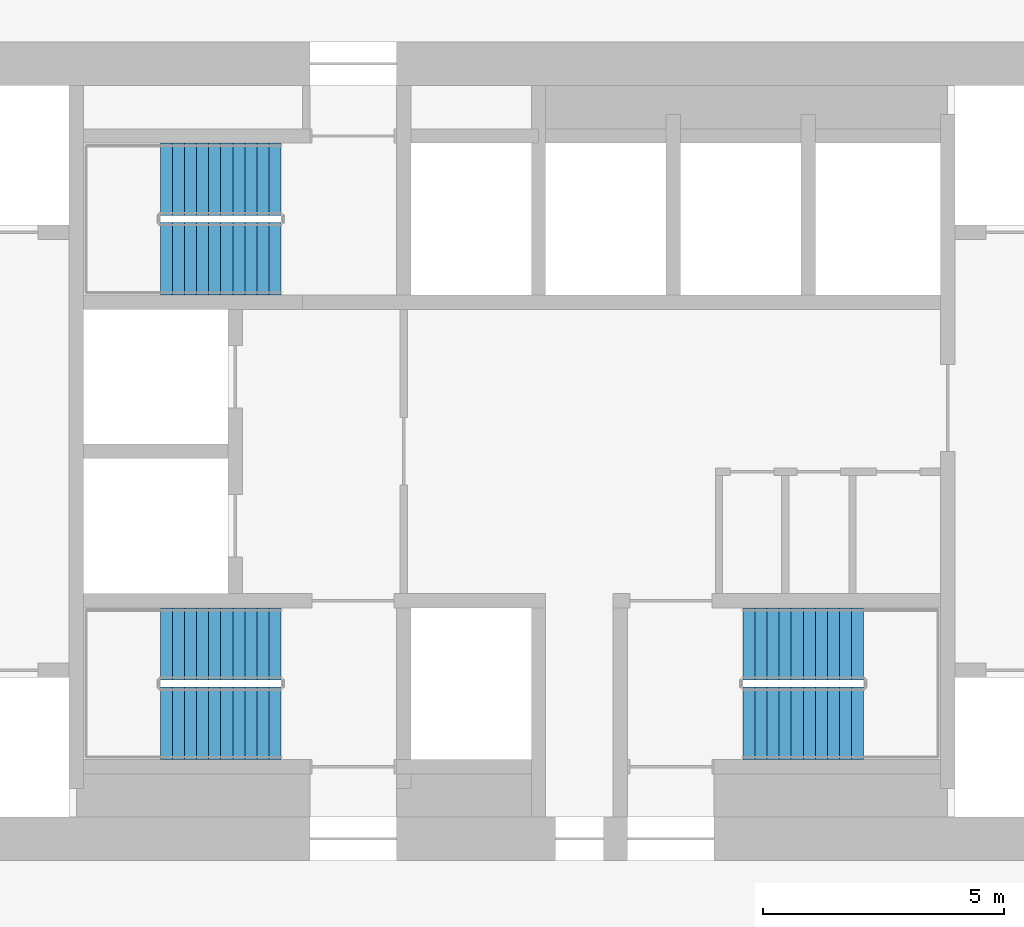
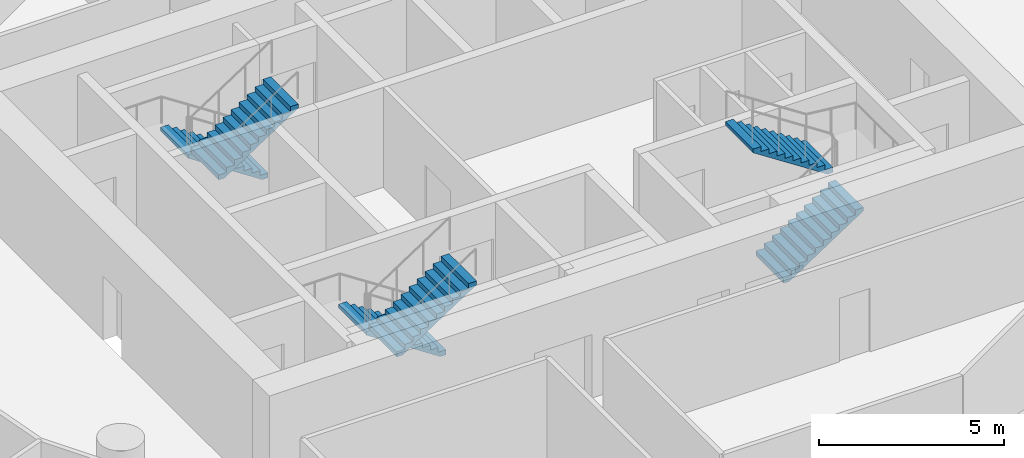
# One storey, part 8 of 9: 6 stair flights, 3 elements without a shape of their own.
"""IFC4 building model written with IfcOpenShell, lengths in metres."""

from ifc_helpers import new_model, si_unit, direction, frame, origin, place, context, subcontext, project, spatial, polyline, outline, extrude, material, type_object, element, aggregate, save


model = new_model("IFC4")

# Units and contexts
model_context = context("Model", 3, precision=1e-05, world=origin(), true_north=direction((0.0, 1.0)))
body_context = subcontext(model_context, "Body", "Model", "MODEL_VIEW")
ifc_project = project(units=[si_unit("LENGTHUNIT", "METRE"), si_unit("AREAUNIT", "SQUARE_METRE"), si_unit("VOLUMEUNIT", "CUBIC_METRE"), si_unit("PLANEANGLEUNIT", "RADIAN"), si_unit("MASSUNIT", "GRAM", prefix="KILO")], contexts=[model_context])

# Site, building, storey
site_placement = place(None, origin())
site = spatial("IfcSite", under=ifc_project, at=site_placement, CompositionType="ELEMENT")
building_placement = place(site_placement, origin())
building = spatial("IfcBuilding", under=site, at=building_placement, Name="Tracery Tower", CompositionType="ELEMENT")
storey_placement = place(building_placement, frame((0.0, 0.0, 172.800048828125)))
storey = spatial("IfcBuildingStorey", under=building, at=storey_placement, Name="L44", CompositionType="ELEMENT", Elevation=172.800048828125)

# Stair, stair flights
ifc_material_1 = material(Name="Concrete C32/40", Category="concrete")
stair_type = type_object("IfcStairType", Name="Core stair 22 risers", PredefinedType="HALF_TURN_STAIR", material=ifc_material_1)
stair_1_placement = place(storey_placement, origin())
stair_1 = element("IfcStair", 1, at=stair_1_placement, inside=storey, type_object=stair_type, Name="L44 stair ST1", PredefinedType="HALF_TURN_STAIR")
ifc_material_2 = material(Name="Concrete C32/40", Category="concrete")
stair_flight_type = type_object("IfcStairFlightType", Name="Core stair flight 11 risers", PredefinedType="STRAIGHT", material=ifc_material_2)
stair_flight_1_placement = place(storey_placement, frame((-4.800048828125, -4.0, 0.0), z_axis=(0.0, 0.0, 1.0), x_axis=(-1.0, 0.0, 0.0)))
stair_flight_1 = element("IfcStairFlight", 2, at=stair_flight_1_placement, type_object=stair_flight_type, Name="ST1 flight 1", NumberOfRisers=11, NumberOfTreads=10, PredefinedType="STRAIGHT", RiserHeight=0.163636364, TreadLength=0.25, context=body_context, shape_type="SweptSolid", body=[
    extrude(outline(polyline([(0.0, 0.0), (0.0, 0.002685546875), (0.0, 0.00537109375), (0.0, 0.008056640625), (0.0, 0.0107421875), (0.0, 0.013427734375), (0.0, 0.01611328125), (0.0, 0.018798828125), (0.0, 0.021484375), (0.0, 0.024169921875), (0.0, 0.02685546875), (0.0, 0.029541015625), (0.0, 0.0322265625), (0.0, 0.034912109375), (0.0, 0.03759765625), (0.0, 0.040283203125), (0.0, 0.04296875), (0.0, 0.045654296875), (0.0, 0.04833984375), (0.0, 0.051025390625), (0.0, 0.0537109375), (0.0, 0.056396484375), (0.0, 0.05908203125), (0.0, 0.061767578125), (0.0, 0.064453125), (0.0, 0.067138671875), (0.0, 0.06982421875), (0.0, 0.072509765625), (0.0, 0.0751953125), (0.0, 0.077880859375), (0.0, 0.08056640625), (0.0, 0.083251953125), (0.0, 0.0859375), (0.0, 0.088623046875), (0.0, 0.09130859375), (0.0, 0.093994140625), (0.0, 0.0966796875), (0.0, 0.099365234375), (0.0, 0.10205078125), (0.0, 0.104736328125), (0.0, 0.107421875), (0.0, 0.10986328125), (0.0, 0.112548828125), (0.0, 0.115234375), (0.0, 0.117919921875), (0.0, 0.12060546875), (0.0, 0.123291015625), (0.0, 0.1259765625), (0.0, 0.128662109375), (0.0, 0.13134765625), (0.0, 0.134033203125), (0.0, 0.13671875), (0.0, 0.139404296875), (0.0, 0.14208984375), (0.0, 0.144775390625), (0.0, 0.1474609375), (0.0, 0.150146484375), (0.0, 0.15283203125), (0.0, 0.155517578125), (0.0, 0.158203125), (0.0, 0.160888671875), (0.0, 0.16357421875), (0.25, 0.16357421875), (0.25, 0.327392578125), (0.5, 0.327392578125), (0.5, 0.490966796875), (0.75, 0.490966796875), (0.75, 0.654541015625), (1.0, 0.654541015625), (1.0, 0.818115234375), (1.25, 0.818115234375), (1.25, 0.98193359375), (1.5, 0.98193359375), (1.5, 1.1455078125), (1.75, 1.1455078125), (1.75, 1.30908203125), (2.0, 1.30908203125), (2.0, 1.47265625), (2.25, 1.47265625), (2.25, 1.636474609375), (2.5, 1.636474609375), (2.5, 1.634521484375), (2.5, 1.63232421875), (2.5, 1.63037109375), (2.5, 1.62841796875), (2.5, 1.62646484375), (2.5, 1.62451171875), (2.5, 1.62255859375), (2.5, 1.62060546875), (2.5, 1.61865234375), (2.5, 1.61669921875), (2.5, 1.61474609375), (2.5, 1.61279296875), (2.5, 1.61083984375), (2.5, 1.60888671875), (2.5, 1.60693359375), (2.5, 1.60498046875), (2.5, 1.60302734375), (2.5, 1.60107421875), (2.5, 1.59912109375), (2.5, 1.59716796875), (2.5, 1.59521484375), (2.5, 1.59326171875), (2.5, 1.59130859375), (2.5, 1.58935546875), (2.5, 1.58740234375), (2.5, 1.58544921875), (2.5, 1.58349609375), (2.5, 1.58154296875), (2.5, 1.57958984375), (2.5, 1.57763671875), (2.5, 1.57568359375), (2.5, 1.573486328125), (2.5, 1.571533203125), (2.5, 1.569580078125), (2.5, 1.567626953125), (2.5, 1.565673828125), (2.5, 1.563720703125), (2.5, 1.561767578125), (2.5, 1.559814453125), (2.5, 1.557861328125), (2.5, 1.555908203125), (2.5, 1.553955078125), (2.5, 1.552001953125), (2.5, 1.550048828125), (2.5, 1.548095703125), (2.5, 1.546142578125), (2.5, 1.544189453125), (2.5, 1.542236328125), (2.5, 1.540283203125), (2.5, 1.538330078125), (2.5, 1.536376953125), (2.5, 1.534423828125), (2.5, 1.532470703125), (2.5, 1.530517578125), (2.5, 1.528564453125), (2.5, 1.526611328125), (2.5, 1.524658203125), (2.5, 1.522705078125), (2.5, 1.520751953125), (2.5, 1.518798828125), (2.5, 1.516845703125), (0.182861328125, 0.0), (0.0, 0.0)])), frame((0.0, 0.75, 0.0), z_axis=(0.0, -1.0, 0.0), x_axis=(1.0, 0.0, 0.0)), (0.0, 0.0, 1.0), 1.5),
])
stair_flight_2_placement = place(storey_placement, frame((-7.300048828125, -5.64990234375, 1.800048828125), z_axis=(0.0, 0.0, 1.0), x_axis=(1.0, 0.0, 0.0)))
stair_flight_2 = element("IfcStairFlight", 3, at=stair_flight_2_placement, type_object=stair_flight_type, Name="ST1 flight 2", NumberOfRisers=11, NumberOfTreads=10, PredefinedType="STRAIGHT", RiserHeight=0.163636364, TreadLength=0.25, context=body_context, shape_type="SweptSolid", body=[
    extrude(outline(polyline([(0.0, 0.0), (0.0, 0.002685546875), (0.0, 0.00537109375), (0.0, 0.008056640625), (0.0, 0.0107421875), (0.0, 0.013427734375), (0.0, 0.01611328125), (0.0, 0.018798828125), (0.0, 0.021484375), (0.0, 0.024169921875), (0.0, 0.02685546875), (0.0, 0.029541015625), (0.0, 0.0322265625), (0.0, 0.034912109375), (0.0, 0.03759765625), (0.0, 0.040283203125), (0.0, 0.04296875), (0.0, 0.045654296875), (0.0, 0.04833984375), (0.0, 0.051025390625), (0.0, 0.0537109375), (0.0, 0.056396484375), (0.0, 0.05908203125), (0.0, 0.061767578125), (0.0, 0.064453125), (0.0, 0.067138671875), (0.0, 0.06982421875), (0.0, 0.072509765625), (0.0, 0.0751953125), (0.0, 0.077880859375), (0.0, 0.08056640625), (0.0, 0.083251953125), (0.0, 0.0859375), (0.0, 0.088623046875), (0.0, 0.09130859375), (0.0, 0.093994140625), (0.0, 0.0966796875), (0.0, 0.099365234375), (0.0, 0.10205078125), (0.0, 0.104736328125), (0.0, 0.107421875), (0.0, 0.10986328125), (0.0, 0.112548828125), (0.0, 0.115234375), (0.0, 0.117919921875), (0.0, 0.12060546875), (0.0, 0.123291015625), (0.0, 0.1259765625), (0.0, 0.128662109375), (0.0, 0.13134765625), (0.0, 0.134033203125), (0.0, 0.13671875), (0.0, 0.139404296875), (0.0, 0.14208984375), (0.0, 0.144775390625), (0.0, 0.1474609375), (0.0, 0.150146484375), (0.0, 0.15283203125), (0.0, 0.155517578125), (0.0, 0.158203125), (0.0, 0.160888671875), (0.0, 0.16357421875), (0.25, 0.16357421875), (0.25, 0.327392578125), (0.5, 0.327392578125), (0.5, 0.490966796875), (0.75, 0.490966796875), (0.75, 0.654541015625), (1.0, 0.654541015625), (1.0, 0.818115234375), (1.25, 0.818115234375), (1.25, 0.98193359375), (1.5, 0.98193359375), (1.5, 1.1455078125), (1.75, 1.1455078125), (1.75, 1.30908203125), (2.0, 1.30908203125), (2.0, 1.47265625), (2.25, 1.47265625), (2.25, 1.636474609375), (2.5, 1.636474609375), (2.5, 1.634521484375), (2.5, 1.63232421875), (2.5, 1.63037109375), (2.5, 1.62841796875), (2.5, 1.62646484375), (2.5, 1.62451171875), (2.5, 1.62255859375), (2.5, 1.62060546875), (2.5, 1.61865234375), (2.5, 1.61669921875), (2.5, 1.61474609375), (2.5, 1.61279296875), (2.5, 1.61083984375), (2.5, 1.60888671875), (2.5, 1.60693359375), (2.5, 1.60498046875), (2.5, 1.60302734375), (2.5, 1.60107421875), (2.5, 1.59912109375), (2.5, 1.59716796875), (2.5, 1.59521484375), (2.5, 1.59326171875), (2.5, 1.59130859375), (2.5, 1.58935546875), (2.5, 1.58740234375), (2.5, 1.58544921875), (2.5, 1.58349609375), (2.5, 1.58154296875), (2.5, 1.57958984375), (2.5, 1.57763671875), (2.5, 1.57568359375), (2.5, 1.573486328125), (2.5, 1.571533203125), (2.5, 1.569580078125), (2.5, 1.567626953125), (2.5, 1.565673828125), (2.5, 1.563720703125), (2.5, 1.561767578125), (2.5, 1.559814453125), (2.5, 1.557861328125), (2.5, 1.555908203125), (2.5, 1.553955078125), (2.5, 1.552001953125), (2.5, 1.550048828125), (2.5, 1.548095703125), (2.5, 1.546142578125), (2.5, 1.544189453125), (2.5, 1.542236328125), (2.5, 1.540283203125), (2.5, 1.538330078125), (2.5, 1.536376953125), (2.5, 1.534423828125), (2.5, 1.532470703125), (2.5, 1.530517578125), (2.5, 1.528564453125), (2.5, 1.526611328125), (2.5, 1.524658203125), (2.5, 1.522705078125), (2.5, 1.520751953125), (2.5, 1.518798828125), (2.5, 1.516845703125), (0.182861328125, 0.0), (0.0, 0.0)])), frame((0.0, 0.75, 0.0), z_axis=(0.0, -1.0, 0.0), x_axis=(1.0, 0.0, 0.0)), (0.0, 0.0, 1.0), 1.5),
])
aggregate(stair_1, [stair_flight_1, stair_flight_2])

stair_2_placement = place(storey_placement, origin())
stair_2 = element("IfcStair", 4, at=stair_2_placement, inside=storey, type_object=stair_type, Name="L44 stair ST3", PredefinedType="HALF_TURN_STAIR")
stair_flight_3_placement = place(storey_placement, frame((-4.800048828125, 5.64990234375, 0.0), z_axis=(0.0, 0.0, 1.0), x_axis=(-1.0, 0.0, 0.0)))
stair_flight_3 = element("IfcStairFlight", 5, at=stair_flight_3_placement, type_object=stair_flight_type, Name="ST3 flight 1", NumberOfRisers=11, NumberOfTreads=10, PredefinedType="STRAIGHT", RiserHeight=0.163636364, TreadLength=0.25, context=body_context, shape_type="SweptSolid", body=[
    extrude(outline(polyline([(0.0, 0.0), (0.0, 0.002685546875), (0.0, 0.00537109375), (0.0, 0.008056640625), (0.0, 0.0107421875), (0.0, 0.013427734375), (0.0, 0.01611328125), (0.0, 0.018798828125), (0.0, 0.021484375), (0.0, 0.024169921875), (0.0, 0.02685546875), (0.0, 0.029541015625), (0.0, 0.0322265625), (0.0, 0.034912109375), (0.0, 0.03759765625), (0.0, 0.040283203125), (0.0, 0.04296875), (0.0, 0.045654296875), (0.0, 0.04833984375), (0.0, 0.051025390625), (0.0, 0.0537109375), (0.0, 0.056396484375), (0.0, 0.05908203125), (0.0, 0.061767578125), (0.0, 0.064453125), (0.0, 0.067138671875), (0.0, 0.06982421875), (0.0, 0.072509765625), (0.0, 0.0751953125), (0.0, 0.077880859375), (0.0, 0.08056640625), (0.0, 0.083251953125), (0.0, 0.0859375), (0.0, 0.088623046875), (0.0, 0.09130859375), (0.0, 0.093994140625), (0.0, 0.0966796875), (0.0, 0.099365234375), (0.0, 0.10205078125), (0.0, 0.104736328125), (0.0, 0.107421875), (0.0, 0.10986328125), (0.0, 0.112548828125), (0.0, 0.115234375), (0.0, 0.117919921875), (0.0, 0.12060546875), (0.0, 0.123291015625), (0.0, 0.1259765625), (0.0, 0.128662109375), (0.0, 0.13134765625), (0.0, 0.134033203125), (0.0, 0.13671875), (0.0, 0.139404296875), (0.0, 0.14208984375), (0.0, 0.144775390625), (0.0, 0.1474609375), (0.0, 0.150146484375), (0.0, 0.15283203125), (0.0, 0.155517578125), (0.0, 0.158203125), (0.0, 0.160888671875), (0.0, 0.16357421875), (0.25, 0.16357421875), (0.25, 0.327392578125), (0.5, 0.327392578125), (0.5, 0.490966796875), (0.75, 0.490966796875), (0.75, 0.654541015625), (1.0, 0.654541015625), (1.0, 0.818115234375), (1.25, 0.818115234375), (1.25, 0.98193359375), (1.5, 0.98193359375), (1.5, 1.1455078125), (1.75, 1.1455078125), (1.75, 1.30908203125), (2.0, 1.30908203125), (2.0, 1.47265625), (2.25, 1.47265625), (2.25, 1.636474609375), (2.5, 1.636474609375), (2.5, 1.634521484375), (2.5, 1.63232421875), (2.5, 1.63037109375), (2.5, 1.62841796875), (2.5, 1.62646484375), (2.5, 1.62451171875), (2.5, 1.62255859375), (2.5, 1.62060546875), (2.5, 1.61865234375), (2.5, 1.61669921875), (2.5, 1.61474609375), (2.5, 1.61279296875), (2.5, 1.61083984375), (2.5, 1.60888671875), (2.5, 1.60693359375), (2.5, 1.60498046875), (2.5, 1.60302734375), (2.5, 1.60107421875), (2.5, 1.59912109375), (2.5, 1.59716796875), (2.5, 1.59521484375), (2.5, 1.59326171875), (2.5, 1.59130859375), (2.5, 1.58935546875), (2.5, 1.58740234375), (2.5, 1.58544921875), (2.5, 1.58349609375), (2.5, 1.58154296875), (2.5, 1.57958984375), (2.5, 1.57763671875), (2.5, 1.57568359375), (2.5, 1.573486328125), (2.5, 1.571533203125), (2.5, 1.569580078125), (2.5, 1.567626953125), (2.5, 1.565673828125), (2.5, 1.563720703125), (2.5, 1.561767578125), (2.5, 1.559814453125), (2.5, 1.557861328125), (2.5, 1.555908203125), (2.5, 1.553955078125), (2.5, 1.552001953125), (2.5, 1.550048828125), (2.5, 1.548095703125), (2.5, 1.546142578125), (2.5, 1.544189453125), (2.5, 1.542236328125), (2.5, 1.540283203125), (2.5, 1.538330078125), (2.5, 1.536376953125), (2.5, 1.534423828125), (2.5, 1.532470703125), (2.5, 1.530517578125), (2.5, 1.528564453125), (2.5, 1.526611328125), (2.5, 1.524658203125), (2.5, 1.522705078125), (2.5, 1.520751953125), (2.5, 1.518798828125), (2.5, 1.516845703125), (0.182861328125, 0.0), (0.0, 0.0)])), frame((0.0, 0.75, 0.0), z_axis=(0.0, -1.0, 0.0), x_axis=(1.0, 0.0, 0.0)), (0.0, 0.0, 1.0), 1.5),
])
stair_flight_4_placement = place(storey_placement, frame((-7.300048828125, 4.0, 1.800048828125), z_axis=(0.0, 0.0, 1.0), x_axis=(1.0, 0.0, 0.0)))
stair_flight_4 = element("IfcStairFlight", 6, at=stair_flight_4_placement, type_object=stair_flight_type, Name="ST3 flight 2", NumberOfRisers=11, NumberOfTreads=10, PredefinedType="STRAIGHT", RiserHeight=0.163636364, TreadLength=0.25, context=body_context, shape_type="SweptSolid", body=[
    extrude(outline(polyline([(0.0, 0.0), (0.0, 0.002685546875), (0.0, 0.00537109375), (0.0, 0.008056640625), (0.0, 0.0107421875), (0.0, 0.013427734375), (0.0, 0.01611328125), (0.0, 0.018798828125), (0.0, 0.021484375), (0.0, 0.024169921875), (0.0, 0.02685546875), (0.0, 0.029541015625), (0.0, 0.0322265625), (0.0, 0.034912109375), (0.0, 0.03759765625), (0.0, 0.040283203125), (0.0, 0.04296875), (0.0, 0.045654296875), (0.0, 0.04833984375), (0.0, 0.051025390625), (0.0, 0.0537109375), (0.0, 0.056396484375), (0.0, 0.05908203125), (0.0, 0.061767578125), (0.0, 0.064453125), (0.0, 0.067138671875), (0.0, 0.06982421875), (0.0, 0.072509765625), (0.0, 0.0751953125), (0.0, 0.077880859375), (0.0, 0.08056640625), (0.0, 0.083251953125), (0.0, 0.0859375), (0.0, 0.088623046875), (0.0, 0.09130859375), (0.0, 0.093994140625), (0.0, 0.0966796875), (0.0, 0.099365234375), (0.0, 0.10205078125), (0.0, 0.104736328125), (0.0, 0.107421875), (0.0, 0.10986328125), (0.0, 0.112548828125), (0.0, 0.115234375), (0.0, 0.117919921875), (0.0, 0.12060546875), (0.0, 0.123291015625), (0.0, 0.1259765625), (0.0, 0.128662109375), (0.0, 0.13134765625), (0.0, 0.134033203125), (0.0, 0.13671875), (0.0, 0.139404296875), (0.0, 0.14208984375), (0.0, 0.144775390625), (0.0, 0.1474609375), (0.0, 0.150146484375), (0.0, 0.15283203125), (0.0, 0.155517578125), (0.0, 0.158203125), (0.0, 0.160888671875), (0.0, 0.16357421875), (0.25, 0.16357421875), (0.25, 0.327392578125), (0.5, 0.327392578125), (0.5, 0.490966796875), (0.75, 0.490966796875), (0.75, 0.654541015625), (1.0, 0.654541015625), (1.0, 0.818115234375), (1.25, 0.818115234375), (1.25, 0.98193359375), (1.5, 0.98193359375), (1.5, 1.1455078125), (1.75, 1.1455078125), (1.75, 1.30908203125), (2.0, 1.30908203125), (2.0, 1.47265625), (2.25, 1.47265625), (2.25, 1.636474609375), (2.5, 1.636474609375), (2.5, 1.634521484375), (2.5, 1.63232421875), (2.5, 1.63037109375), (2.5, 1.62841796875), (2.5, 1.62646484375), (2.5, 1.62451171875), (2.5, 1.62255859375), (2.5, 1.62060546875), (2.5, 1.61865234375), (2.5, 1.61669921875), (2.5, 1.61474609375), (2.5, 1.61279296875), (2.5, 1.61083984375), (2.5, 1.60888671875), (2.5, 1.60693359375), (2.5, 1.60498046875), (2.5, 1.60302734375), (2.5, 1.60107421875), (2.5, 1.59912109375), (2.5, 1.59716796875), (2.5, 1.59521484375), (2.5, 1.59326171875), (2.5, 1.59130859375), (2.5, 1.58935546875), (2.5, 1.58740234375), (2.5, 1.58544921875), (2.5, 1.58349609375), (2.5, 1.58154296875), (2.5, 1.57958984375), (2.5, 1.57763671875), (2.5, 1.57568359375), (2.5, 1.573486328125), (2.5, 1.571533203125), (2.5, 1.569580078125), (2.5, 1.567626953125), (2.5, 1.565673828125), (2.5, 1.563720703125), (2.5, 1.561767578125), (2.5, 1.559814453125), (2.5, 1.557861328125), (2.5, 1.555908203125), (2.5, 1.553955078125), (2.5, 1.552001953125), (2.5, 1.550048828125), (2.5, 1.548095703125), (2.5, 1.546142578125), (2.5, 1.544189453125), (2.5, 1.542236328125), (2.5, 1.540283203125), (2.5, 1.538330078125), (2.5, 1.536376953125), (2.5, 1.534423828125), (2.5, 1.532470703125), (2.5, 1.530517578125), (2.5, 1.528564453125), (2.5, 1.526611328125), (2.5, 1.524658203125), (2.5, 1.522705078125), (2.5, 1.520751953125), (2.5, 1.518798828125), (2.5, 1.516845703125), (0.182861328125, 0.0), (0.0, 0.0)])), frame((0.0, 0.75, 0.0), z_axis=(0.0, -1.0, 0.0), x_axis=(1.0, 0.0, 0.0)), (0.0, 0.0, 1.0), 1.5),
])
aggregate(stair_2, [stair_flight_3, stair_flight_4])

stair_3_placement = place(storey_placement, origin())
stair_3 = element("IfcStair", 7, at=stair_3_placement, inside=storey, type_object=stair_type, Name="L44 stair ST2", PredefinedType="HALF_TURN_STAIR")
stair_flight_5_placement = place(storey_placement, frame((4.800048828125, -5.64990234375, 0.0), z_axis=(0.0, 0.0, 1.0), x_axis=(1.0, 0.0, 0.0)))
stair_flight_5 = element("IfcStairFlight", 8, at=stair_flight_5_placement, type_object=stair_flight_type, Name="ST2 flight 1", NumberOfRisers=11, NumberOfTreads=10, PredefinedType="STRAIGHT", RiserHeight=0.163636364, TreadLength=0.25, context=body_context, shape_type="SweptSolid", body=[
    extrude(outline(polyline([(0.0, 0.0), (0.0, 0.002685546875), (0.0, 0.00537109375), (0.0, 0.008056640625), (0.0, 0.0107421875), (0.0, 0.013427734375), (0.0, 0.01611328125), (0.0, 0.018798828125), (0.0, 0.021484375), (0.0, 0.024169921875), (0.0, 0.02685546875), (0.0, 0.029541015625), (0.0, 0.0322265625), (0.0, 0.034912109375), (0.0, 0.03759765625), (0.0, 0.040283203125), (0.0, 0.04296875), (0.0, 0.045654296875), (0.0, 0.04833984375), (0.0, 0.051025390625), (0.0, 0.0537109375), (0.0, 0.056396484375), (0.0, 0.05908203125), (0.0, 0.061767578125), (0.0, 0.064453125), (0.0, 0.067138671875), (0.0, 0.06982421875), (0.0, 0.072509765625), (0.0, 0.0751953125), (0.0, 0.077880859375), (0.0, 0.08056640625), (0.0, 0.083251953125), (0.0, 0.0859375), (0.0, 0.088623046875), (0.0, 0.09130859375), (0.0, 0.093994140625), (0.0, 0.0966796875), (0.0, 0.099365234375), (0.0, 0.10205078125), (0.0, 0.104736328125), (0.0, 0.107421875), (0.0, 0.10986328125), (0.0, 0.112548828125), (0.0, 0.115234375), (0.0, 0.117919921875), (0.0, 0.12060546875), (0.0, 0.123291015625), (0.0, 0.1259765625), (0.0, 0.128662109375), (0.0, 0.13134765625), (0.0, 0.134033203125), (0.0, 0.13671875), (0.0, 0.139404296875), (0.0, 0.14208984375), (0.0, 0.144775390625), (0.0, 0.1474609375), (0.0, 0.150146484375), (0.0, 0.15283203125), (0.0, 0.155517578125), (0.0, 0.158203125), (0.0, 0.160888671875), (0.0, 0.16357421875), (0.25, 0.16357421875), (0.25, 0.327392578125), (0.5, 0.327392578125), (0.5, 0.490966796875), (0.75, 0.490966796875), (0.75, 0.654541015625), (1.0, 0.654541015625), (1.0, 0.818115234375), (1.25, 0.818115234375), (1.25, 0.98193359375), (1.5, 0.98193359375), (1.5, 1.1455078125), (1.75, 1.1455078125), (1.75, 1.30908203125), (2.0, 1.30908203125), (2.0, 1.47265625), (2.25, 1.47265625), (2.25, 1.636474609375), (2.5, 1.636474609375), (2.5, 1.634521484375), (2.5, 1.63232421875), (2.5, 1.63037109375), (2.5, 1.62841796875), (2.5, 1.62646484375), (2.5, 1.62451171875), (2.5, 1.62255859375), (2.5, 1.62060546875), (2.5, 1.61865234375), (2.5, 1.61669921875), (2.5, 1.61474609375), (2.5, 1.61279296875), (2.5, 1.61083984375), (2.5, 1.60888671875), (2.5, 1.60693359375), (2.5, 1.60498046875), (2.5, 1.60302734375), (2.5, 1.60107421875), (2.5, 1.59912109375), (2.5, 1.59716796875), (2.5, 1.59521484375), (2.5, 1.59326171875), (2.5, 1.59130859375), (2.5, 1.58935546875), (2.5, 1.58740234375), (2.5, 1.58544921875), (2.5, 1.58349609375), (2.5, 1.58154296875), (2.5, 1.57958984375), (2.5, 1.57763671875), (2.5, 1.57568359375), (2.5, 1.573486328125), (2.5, 1.571533203125), (2.5, 1.569580078125), (2.5, 1.567626953125), (2.5, 1.565673828125), (2.5, 1.563720703125), (2.5, 1.561767578125), (2.5, 1.559814453125), (2.5, 1.557861328125), (2.5, 1.555908203125), (2.5, 1.553955078125), (2.5, 1.552001953125), (2.5, 1.550048828125), (2.5, 1.548095703125), (2.5, 1.546142578125), (2.5, 1.544189453125), (2.5, 1.542236328125), (2.5, 1.540283203125), (2.5, 1.538330078125), (2.5, 1.536376953125), (2.5, 1.534423828125), (2.5, 1.532470703125), (2.5, 1.530517578125), (2.5, 1.528564453125), (2.5, 1.526611328125), (2.5, 1.524658203125), (2.5, 1.522705078125), (2.5, 1.520751953125), (2.5, 1.518798828125), (2.5, 1.516845703125), (0.182861328125, 0.0), (0.0, 0.0)])), frame((0.0, 0.75, 0.0), z_axis=(0.0, -1.0, 0.0), x_axis=(1.0, 0.0, 0.0)), (0.0, 0.0, 1.0), 1.5),
])
stair_flight_6_placement = place(storey_placement, frame((7.300048828125, -4.0, 1.800048828125), z_axis=(0.0, 0.0, 1.0), x_axis=(-1.0, 0.0, 0.0)))
stair_flight_6 = element("IfcStairFlight", 9, at=stair_flight_6_placement, type_object=stair_flight_type, Name="ST2 flight 2", NumberOfRisers=11, NumberOfTreads=10, PredefinedType="STRAIGHT", RiserHeight=0.163636364, TreadLength=0.25, context=body_context, shape_type="SweptSolid", body=[
    extrude(outline(polyline([(0.0, 0.0), (0.0, 0.002685546875), (0.0, 0.00537109375), (0.0, 0.008056640625), (0.0, 0.0107421875), (0.0, 0.013427734375), (0.0, 0.01611328125), (0.0, 0.018798828125), (0.0, 0.021484375), (0.0, 0.024169921875), (0.0, 0.02685546875), (0.0, 0.029541015625), (0.0, 0.0322265625), (0.0, 0.034912109375), (0.0, 0.03759765625), (0.0, 0.040283203125), (0.0, 0.04296875), (0.0, 0.045654296875), (0.0, 0.04833984375), (0.0, 0.051025390625), (0.0, 0.0537109375), (0.0, 0.056396484375), (0.0, 0.05908203125), (0.0, 0.061767578125), (0.0, 0.064453125), (0.0, 0.067138671875), (0.0, 0.06982421875), (0.0, 0.072509765625), (0.0, 0.0751953125), (0.0, 0.077880859375), (0.0, 0.08056640625), (0.0, 0.083251953125), (0.0, 0.0859375), (0.0, 0.088623046875), (0.0, 0.09130859375), (0.0, 0.093994140625), (0.0, 0.0966796875), (0.0, 0.099365234375), (0.0, 0.10205078125), (0.0, 0.104736328125), (0.0, 0.107421875), (0.0, 0.10986328125), (0.0, 0.112548828125), (0.0, 0.115234375), (0.0, 0.117919921875), (0.0, 0.12060546875), (0.0, 0.123291015625), (0.0, 0.1259765625), (0.0, 0.128662109375), (0.0, 0.13134765625), (0.0, 0.134033203125), (0.0, 0.13671875), (0.0, 0.139404296875), (0.0, 0.14208984375), (0.0, 0.144775390625), (0.0, 0.1474609375), (0.0, 0.150146484375), (0.0, 0.15283203125), (0.0, 0.155517578125), (0.0, 0.158203125), (0.0, 0.160888671875), (0.0, 0.16357421875), (0.25, 0.16357421875), (0.25, 0.327392578125), (0.5, 0.327392578125), (0.5, 0.490966796875), (0.75, 0.490966796875), (0.75, 0.654541015625), (1.0, 0.654541015625), (1.0, 0.818115234375), (1.25, 0.818115234375), (1.25, 0.98193359375), (1.5, 0.98193359375), (1.5, 1.1455078125), (1.75, 1.1455078125), (1.75, 1.30908203125), (2.0, 1.30908203125), (2.0, 1.47265625), (2.25, 1.47265625), (2.25, 1.636474609375), (2.5, 1.636474609375), (2.5, 1.634521484375), (2.5, 1.63232421875), (2.5, 1.63037109375), (2.5, 1.62841796875), (2.5, 1.62646484375), (2.5, 1.62451171875), (2.5, 1.62255859375), (2.5, 1.62060546875), (2.5, 1.61865234375), (2.5, 1.61669921875), (2.5, 1.61474609375), (2.5, 1.61279296875), (2.5, 1.61083984375), (2.5, 1.60888671875), (2.5, 1.60693359375), (2.5, 1.60498046875), (2.5, 1.60302734375), (2.5, 1.60107421875), (2.5, 1.59912109375), (2.5, 1.59716796875), (2.5, 1.59521484375), (2.5, 1.59326171875), (2.5, 1.59130859375), (2.5, 1.58935546875), (2.5, 1.58740234375), (2.5, 1.58544921875), (2.5, 1.58349609375), (2.5, 1.58154296875), (2.5, 1.57958984375), (2.5, 1.57763671875), (2.5, 1.57568359375), (2.5, 1.573486328125), (2.5, 1.571533203125), (2.5, 1.569580078125), (2.5, 1.567626953125), (2.5, 1.565673828125), (2.5, 1.563720703125), (2.5, 1.561767578125), (2.5, 1.559814453125), (2.5, 1.557861328125), (2.5, 1.555908203125), (2.5, 1.553955078125), (2.5, 1.552001953125), (2.5, 1.550048828125), (2.5, 1.548095703125), (2.5, 1.546142578125), (2.5, 1.544189453125), (2.5, 1.542236328125), (2.5, 1.540283203125), (2.5, 1.538330078125), (2.5, 1.536376953125), (2.5, 1.534423828125), (2.5, 1.532470703125), (2.5, 1.530517578125), (2.5, 1.528564453125), (2.5, 1.526611328125), (2.5, 1.524658203125), (2.5, 1.522705078125), (2.5, 1.520751953125), (2.5, 1.518798828125), (2.5, 1.516845703125), (0.182861328125, 0.0), (0.0, 0.0)])), frame((0.0, 0.75, 0.0), z_axis=(0.0, -1.0, 0.0), x_axis=(1.0, 0.0, 0.0)), (0.0, 0.0, 1.0), 1.5),
])
aggregate(stair_3, [stair_flight_5, stair_flight_6])

save(model, "model.ifc")
